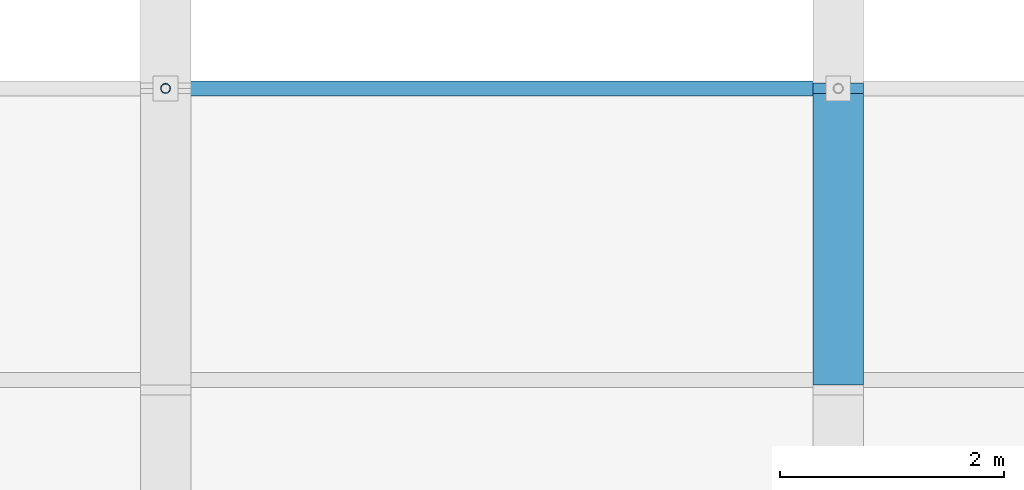
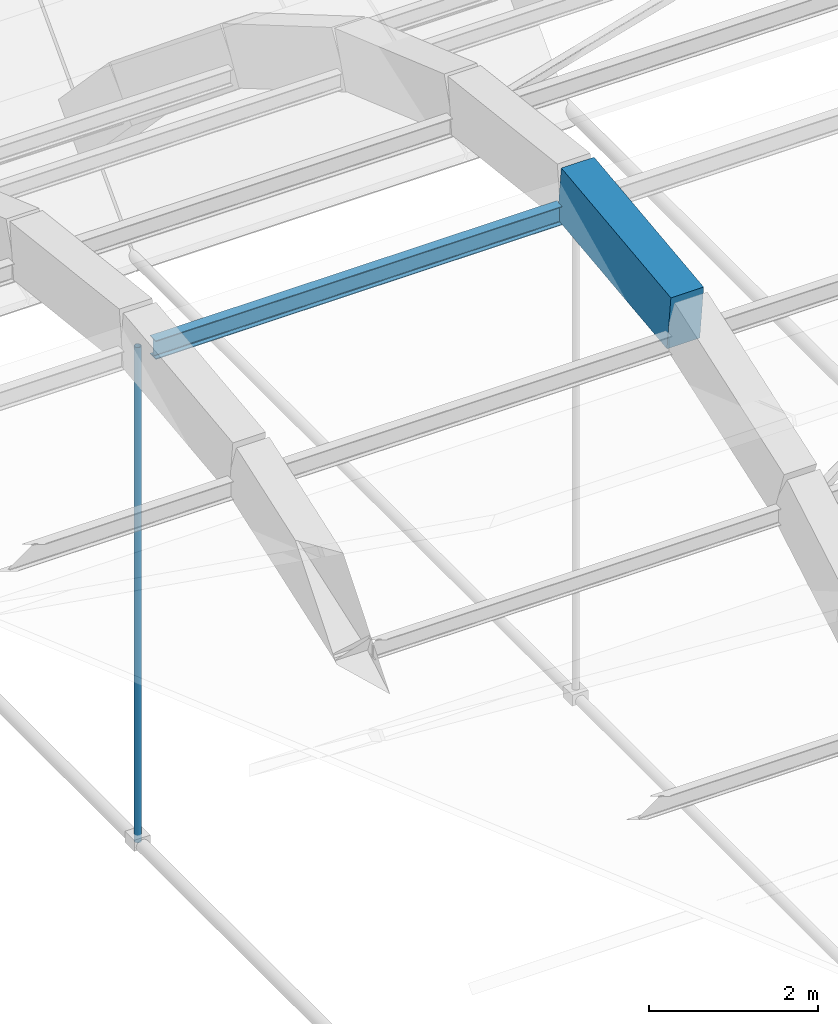
# One storey, part 32 of 123: 2 beams, 1 member.
"""IFC4 building model written with IfcOpenShell, lengths in metres."""

from ifc_helpers import new_model, si_unit, direction, frame, origin, origin_2d, place, context, subcontext, project, spatial, rectangle, hollow_circle, i_section, extrude, material, material_profile, profile_set, type_object, element, save


model = new_model("IFC4")

# Units and contexts
model_context = context("Model", 3, precision=1e-05, world=origin(), true_north=direction((0.0, 1.0)))
body_context = subcontext(model_context, "Body", "Model", "MODEL_VIEW")
ifc_project = project(units=[si_unit("LENGTHUNIT", "METRE"), si_unit("AREAUNIT", "SQUARE_METRE"), si_unit("VOLUMEUNIT", "CUBIC_METRE"), si_unit("PLANEANGLEUNIT", "RADIAN"), si_unit("MASSUNIT", "GRAM", prefix="KILO"), si_unit("POWERUNIT", "WATT"), si_unit("THERMODYNAMICTEMPERATUREUNIT", "KELVIN")], contexts=[model_context])

# Site, building, storey
site_placement = place(None, origin())
site = spatial("IfcSite", under=ifc_project, at=site_placement, CompositionType="ELEMENT")
building_placement = place(site_placement, origin())
building = spatial("IfcBuilding", under=site, at=building_placement, Name="Ruvembo Vaulted Housing Court", CompositionType="ELEMENT")
storey_placement = place(building_placement, frame((0.0, 0.0, 7.699951171875)))
storey = spatial("IfcBuildingStorey", under=building, at=storey_placement, Name="L02", CompositionType="ELEMENT", Elevation=7.699951171875)

# Beams
ifc_material_1 = material(Name="Concrete C35/45", Category="concrete")
ifc_material_profile_1 = material_profile(ifc_material_1, rectangle(XDim=0.449951171875, YDim=0.800048828125, at=origin_2d()), Name="RC 450x800")
ifc_profile_set_1 = profile_set([ifc_material_profile_1], Name="Concrete C35/45")
beam_type_1 = type_object("IfcBeamType", Name="AR-RC-450x800", PredefinedType="BEAM", material=ifc_profile_set_1)
beam_1_placement = place(storey_placement, frame((102.0, 52.39990234375, 5.796142578125), z_axis=(0.0, 0.993236276414, 0.116110719637), x_axis=(-1.0, 0.0, 0.0)))
element("IfcBeam", 1, at=beam_1_placement, inside=storey, type_object=beam_type_1, Name="Community Hall Parabolic Arch Rib AR-07 Seg 5", PredefinedType="BEAM", context=body_context, shape_type="SweptSolid", body=[
    extrude(rectangle(XDim=0.449951171875, YDim=0.800048828125, at=origin_2d()), origin(), (0.0, 0.0, 1.0), 2.617919921875),
])
ifc_material_2 = material(Name="Steel S355J2", Category="steel")
ifc_material_profile_2 = material_profile(ifc_material_2, i_section(OverallWidth=0.135009765625, OverallDepth=0.27001953125, WebThickness=0.006591796875, FlangeThickness=0.01025390625, FilletRadius=0.014892578125, at=origin_2d()), Name="IPE 270")
ifc_profile_set_2 = profile_set([ifc_material_profile_2], Name="Steel S355J2")
beam_type_2 = type_object("IfcBeamType", Name="BM-ST-IPE270", PredefinedType="BEAM", material=ifc_profile_set_2)
beam_2_placement = place(storey_placement, frame((96.2099609375, 55.0, 5.820068359375), z_axis=(1.0, 0.0, 0.0), x_axis=(0.0, 1.0, 0.0)))
element("IfcBeam", 2, at=beam_2_placement, inside=storey, type_object=beam_type_2, Name="Vault Bay 6 Steel Purlin K5", PredefinedType="BEAM", context=body_context, shape_type="SweptSolid", body=[
    extrude(i_section(OverallWidth=0.135009765625, OverallDepth=0.27001953125, WebThickness=0.006591796875, FlangeThickness=0.01025390625, FilletRadius=0.014892578125, at=origin_2d()), origin(), (0.0, 0.0, 1.0), 5.580078125),
])

# Member
ifc_material_profile_3 = material_profile(ifc_material_2, hollow_circle(Radius=0.04443359375, WallThickness=0.0048828125, at=origin_2d()), Name="CHS 88.9x5")
ifc_profile_set_3 = profile_set([ifc_material_profile_3], Name="Steel S355J2")
member_type = type_object("IfcMemberType", Name="MEM-HGR-CHS89", PredefinedType="STRUT", material=ifc_profile_set_3)
member_placement = place(storey_placement, frame((96.0, 55.0, -1.25), z_axis=(0.0, 0.0, 1.0), x_axis=(1.0, 0.0, 0.0)))
element("IfcMember", 3, at=member_placement, inside=storey, type_object=member_type, Name="Vault Crown Hanger Rod VH-06", PredefinedType="STRUT", context=body_context, shape_type="SweptSolid", body=[
    extrude(hollow_circle(Radius=0.04443359375, WallThickness=0.0048828125, at=origin_2d()), origin(), (0.0, 0.0, 1.0), 7.170166015625),
])

save(model, "model.ifc")
